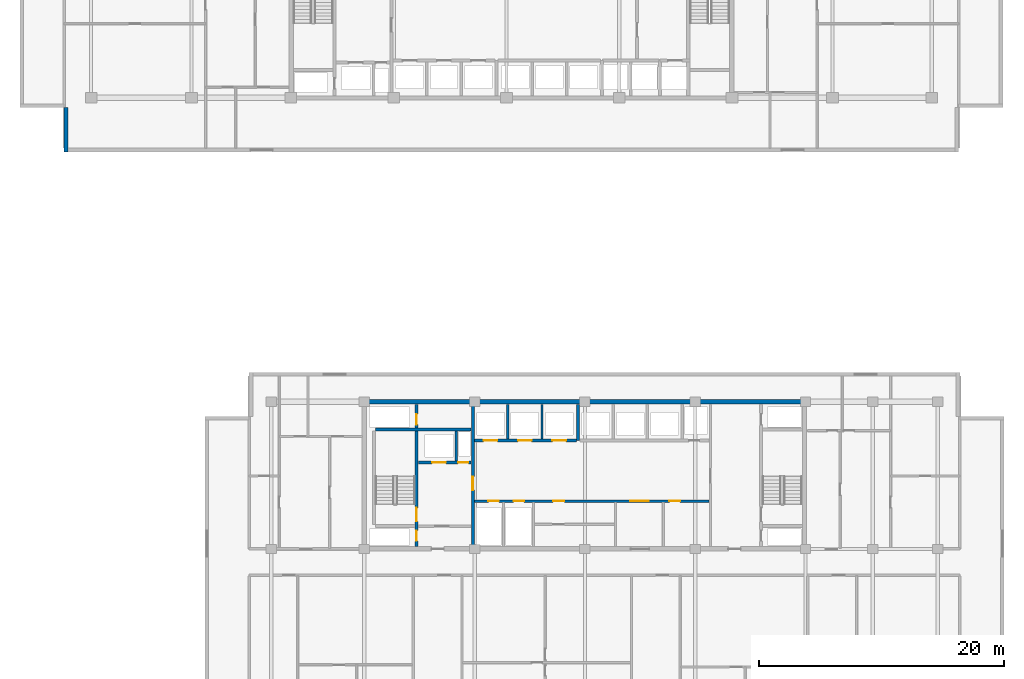
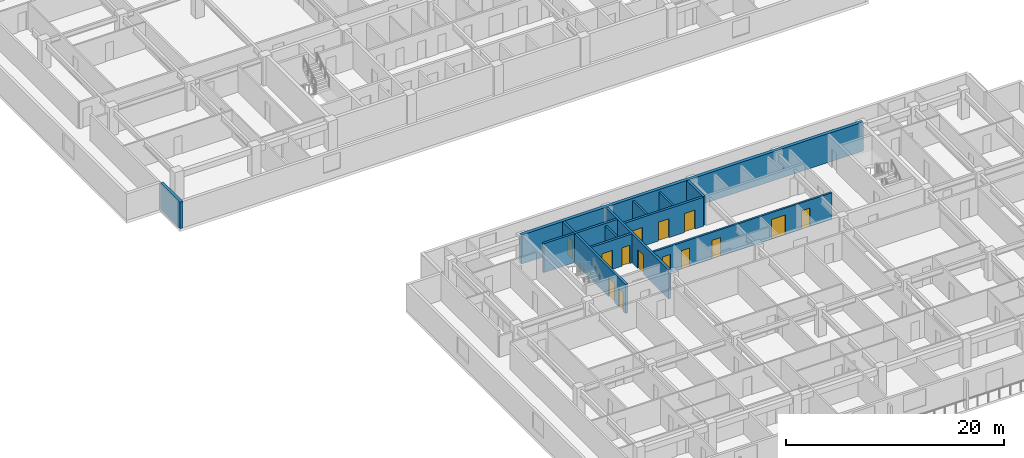
# One storey, part 7 of 22: 14 doors, 12 walls, 14 openings.
"""IFC4 building model written with IfcOpenShell, lengths in metres."""

from ifc_helpers import new_model, si_unit, direction, frame, frame_2d, origin, place, context, subcontext, project, spatial, rectangle, extrude, material, layer, layer_set, type_object, element, fill, save


model = new_model("IFC4")

# Units and contexts
model_context = context("Model", 3, precision=1e-05, world=origin(), true_north=direction((0.0, 1.0)))
body_context = subcontext(model_context, "Body", "Model", "MODEL_VIEW")
ifc_project = project(units=[si_unit("LENGTHUNIT", "METRE"), si_unit("AREAUNIT", "SQUARE_METRE"), si_unit("VOLUMEUNIT", "CUBIC_METRE"), si_unit("PLANEANGLEUNIT", "RADIAN"), si_unit("MASSUNIT", "GRAM", prefix="KILO")], contexts=[model_context])

# Site, building, storey
site_placement = place(None, origin())
site = spatial("IfcSite", under=ifc_project, at=site_placement, CompositionType="ELEMENT")
building_placement = place(site_placement, origin())
building = spatial("IfcBuilding", under=site, at=building_placement, Name="Korimba Cascade Residences", CompositionType="ELEMENT")
storey_placement = place(building_placement, frame((0.0, 0.0, 80.800048828125)))
storey = spatial("IfcBuildingStorey", under=building, at=storey_placement, Name="L22", CompositionType="ELEMENT", Elevation=80.800048828125)

# Walls
ifc_material_1 = material(Name="Precast concrete C40/50", Category="concrete")
ifc_layer_1 = layer(ifc_material_1, 0.300048828125)
ifc_layer_set_1 = layer_set([ifc_layer_1], Name="Precast concrete C40/50")
wall_type_1 = type_object("IfcWallType", Name="EW-STONE-300", PredefinedType="STANDARD", material=ifc_layer_set_1)
wall_1_placement = place(storey_placement, frame((57.75, 54.39990234375, 0.0), z_axis=(0.0, 0.0, 1.0), x_axis=(0.0, -1.0, 0.0)))
element("IfcWall", 1, at=wall_1_placement, inside=storey, type_object=wall_type_1, Name="L22 T1 Perimeter Stone Wall E11", PredefinedType="STANDARD", context=body_context, shape_type="SweptSolid", body=[
    extrude(rectangle(XDim=3.599853515625, YDim=0.300048828125, at=frame_2d((1.7998046875, 0.0))), origin(), (0.0, 0.0, 1.0), 2.969970703125),
])
ifc_material_2 = material(Name="Concrete C65/80", Category="concrete")
ifc_layer_2 = layer(ifc_material_2, 0.35009765625)
ifc_layer_set_2 = layer_set([ifc_layer_2], Name="Concrete C65/80")
wall_type_2 = type_object("IfcWallType", Name="WAL-CORE-350", PredefinedType="SHEAR", material=ifc_layer_set_2)
wall_2_placement = place(storey_placement, frame((81.925048828125, 30.39990234375, 0.0), z_axis=(0.0, 0.0, 1.0), x_axis=(1.0, 0.0, 0.0)))
element("IfcWall", 2, at=wall_2_placement, inside=storey, type_object=wall_type_2, Name="L22 Core Shear Wall CW-L22-T2-N", PredefinedType="SHEAR", context=body_context, shape_type="SweptSolid", body=[
    extrude(rectangle(XDim=36.264892578125, YDim=0.35009765625, at=frame_2d((18.13232421875, 0.0))), origin(), (0.0, 0.0, 1.0), 3.25),
])
ifc_material_3 = material(Name="Concrete C40/50", Category="concrete")
ifc_layer_3 = layer(ifc_material_3, 0.199951171875)
ifc_layer_set_3 = layer_set([ifc_layer_3], Name="Concrete C40/50")
wall_type_3 = type_object("IfcWallType", Name="WAL-PART-200", PredefinedType="PARTITIONING", material=ifc_layer_set_3)
wall_3_placement = place(storey_placement, frame((89.60009765625, 25.580078125, 0.0), z_axis=(0.0, 0.0, 1.0), x_axis=(0.0, 1.0, 0.0)))
element("IfcWall", 3, at=wall_3_placement, inside=storey, type_object=wall_type_3, Name="L22 Partition Wall CW-L22-T2-FFLDIV", PredefinedType="PARTITIONING", context=body_context, shape_type="SweptSolid", body=[
    extrude(rectangle(XDim=2.419921875, YDim=0.199951171875, at=frame_2d((1.2099609375, 0.0))), origin(), (0.0, 0.0, 1.0), 2.969970703125),
])
for number, where, z_axis, x_axis, name in (
    (4, (93.800048828125, 27.3798828125, 0.0), (0.0, 0.0, 1.0), (0.0, 1.0, 0.0), "L22 Partition Wall CW-L22-T2-B1D1"),
    (5, (96.60009765625, 27.3798828125, 0.0), (0.0, 0.0, 1.0), (0.0, 1.0, 0.0), "L22 Partition Wall CW-L22-T2-B1D2"),
):
    element("IfcWall", number, at=place(storey_placement, frame(where, z_axis=z_axis, x_axis=x_axis)), inside=storey, type_object=wall_type_3, Name=name, PredefinedType="PARTITIONING", context=body_context, shape_type="SweptSolid", body=[
        extrude(rectangle(XDim=2.820068359375, YDim=0.199951171875, at=frame_2d((1.41015625, 0.0))), origin(), (0.0, 0.0, 1.0), 2.969970703125),
    ])

# Wall, openings, doors
wall_4_placement = place(storey_placement, frame((91.080078125, 22.300048828125, 0.0), z_axis=(0.0, 0.0, 1.0), x_axis=(1.0, 0.0, 0.0)))
wall_4 = element("IfcWall", 6, at=wall_4_placement, inside=storey, type_object=wall_type_3, Name="L22 Partition Wall CW-L22-T2-SRVROW", PredefinedType="PARTITIONING", context=body_context, shape_type="SweptSolid", body=[
    extrude(rectangle(XDim=19.139892578125, YDim=0.199951171875, at=frame_2d((9.56982421875, 0.0))), origin(), (0.0, 0.0, 1.0), 2.969970703125),
])
opening_1_placement = place(wall_4_placement, frame((1.14990234375, 0.0, 0.0)))
opening_1 = element("IfcOpeningElement", 7, at=opening_1_placement, cuts=wall_4, Name="Opening D-RS1", PredefinedType="OPENING", context=body_context, shape_type="SweptSolid", body=[
    extrude(rectangle(XDim=0.85009765625, YDim=2.050048828125, at=frame_2d((0.425048828125, 1.02490234375))), frame((0.0, 0.10986328125, 0.0), z_axis=(0.0, -1.0, 0.0), x_axis=(1.0, 0.0, 0.0)), (0.0, 0.0, 1.0), 0.219970703125),
])
opening_2_placement = place(wall_4_placement, frame((3.199951171875, 0.0, 0.0)))
opening_2 = element("IfcOpeningElement", 8, at=opening_2_placement, cuts=wall_4, Name="Opening D-RS1", PredefinedType="OPENING", context=body_context, shape_type="SweptSolid", body=[
    extrude(rectangle(XDim=0.85009765625, YDim=2.050048828125, at=frame_2d((0.425048828125, 1.02490234375))), frame((0.0, 0.10986328125, 0.0), z_axis=(0.0, -1.0, 0.0), x_axis=(1.0, 0.0, 0.0)), (0.0, 0.0, 1.0), 0.219970703125),
])
opening_3_placement = place(wall_4_placement, frame((12.719970703125, 0.0, 0.0)))
opening_3 = element("IfcOpeningElement", 9, at=opening_3_placement, cuts=wall_4, Name="Opening D-FD8", PredefinedType="OPENING", context=body_context, shape_type="SweptSolid", body=[
    extrude(rectangle(XDim=1.5, YDim=2.199951171875, at=frame_2d((0.75, 1.10009765625))), frame((0.0, 0.10986328125, 0.0), z_axis=(0.0, -1.0, 0.0), x_axis=(1.0, 0.0, 0.0)), (0.0, 0.0, 1.0), 0.219970703125),
])
opening_4_placement = place(wall_4_placement, frame((6.419921875, 0.0, 0.0)))
opening_4 = element("IfcOpeningElement", 10, at=opening_4_placement, cuts=wall_4, Name="Opening D-IN1", PredefinedType="OPENING", context=body_context, shape_type="SweptSolid", body=[
    extrude(rectangle(XDim=0.919921875, YDim=2.080078125, at=frame_2d((0.4599609375, 1.0400390625))), frame((0.0, 0.10986328125, 0.0), z_axis=(0.0, -1.0, 0.0), x_axis=(1.0, 0.0, 0.0)), (0.0, 0.0, 1.0), 0.219970703125),
])
opening_5_placement = place(wall_4_placement, frame((15.919921875, 0.0, 0.0)))
opening_5 = element("IfcOpeningElement", 11, at=opening_5_placement, cuts=wall_4, Name="Opening D-IN2", PredefinedType="OPENING", context=body_context, shape_type="SweptSolid", body=[
    extrude(rectangle(XDim=0.8798828125, YDim=2.06005859375, at=frame_2d((0.43994140625, 1.030029296875))), frame((0.0, 0.10986328125, 0.0), z_axis=(0.0, -1.0, 0.0), x_axis=(1.0, 0.0, 0.0)), (0.0, 0.0, 1.0), 0.219970703125),
])
ifc_material_4 = material(Name="Fire-Rated Steel Riser Access Door", Category="steel")
door_type_1 = type_object("IfcDoorType", Name="DR-FD60-850", OperationType="NOTDEFINED", PredefinedType="DOOR", material=ifc_material_4)
door_1_placement = place(opening_1_placement, origin())
door_1 = element("IfcDoor", 12, at=door_1_placement, inside=storey, type_object=door_type_1, Name="L22 T2 Electrical Riser Door", OperationType="SINGLE_SWING_RIGHT", OverallHeight=2.050048828125, OverallWidth=0.85009765625, PredefinedType="DOOR", context=body_context, shape_type="SweptSolid", body=[
    extrude(rectangle(XDim=0.85009765625, YDim=2.050048828125, at=frame_2d((0.425048828125, 1.02490234375))), frame((0.0, 0.02490234375, 0.0), z_axis=(0.0, -1.0, 0.0), x_axis=(1.0, 0.0, 0.0)), (0.0, 0.0, 1.0), 0.050048828125),
])
fill(opening_1, door_1)
door_2_placement = place(opening_2_placement, origin())
door_2 = element("IfcDoor", 13, at=door_2_placement, inside=storey, type_object=door_type_1, Name="L22 T2 Plumbing Riser Door", OperationType="SINGLE_SWING_LEFT", OverallHeight=2.050048828125, OverallWidth=0.85009765625, PredefinedType="DOOR", context=body_context, shape_type="SweptSolid", body=[
    extrude(rectangle(XDim=0.85009765625, YDim=2.050048828125, at=frame_2d((0.425048828125, 1.02490234375))), frame((0.0, 0.02490234375, 0.0), z_axis=(0.0, -1.0, 0.0), x_axis=(1.0, 0.0, 0.0)), (0.0, 0.0, 1.0), 0.050048828125),
])
fill(opening_2, door_2)
ifc_material_5 = material(Name="Fire-Rated Glazed Lift Lobby Double Door", Category="glass")
door_type_2 = type_object("IfcDoorType", Name="DR-FD90-1500", OperationType="NOTDEFINED", PredefinedType="DOOR", material=ifc_material_5)
door_3_placement = place(opening_3_placement, origin())
door_3 = element("IfcDoor", 14, at=door_3_placement, inside=storey, type_object=door_type_2, Name="L22 T2 Lift Lobby Foyer Door", OperationType="DOUBLE_DOOR_SINGLE_SWING", OverallHeight=2.199951171875, OverallWidth=1.5, PredefinedType="DOOR", context=body_context, shape_type="SweptSolid", body=[
    extrude(rectangle(XDim=1.5, YDim=2.199951171875, at=frame_2d((0.75, 1.10009765625))), frame((0.0, 0.02490234375, 0.0), z_axis=(0.0, -1.0, 0.0), x_axis=(1.0, 0.0, 0.0)), (0.0, 0.0, 1.0), 0.050048828125),
])
fill(opening_3, door_3)
ifc_material_6 = material(Name="Acoustic Timber Bedroom Door", Category="wood")
door_type_3 = type_object("IfcDoorType", Name="DR-INT-880", OperationType="NOTDEFINED", PredefinedType="DOOR", material=ifc_material_6)
door_4_placement = place(opening_5_placement, origin())
door_4 = element("IfcDoor", 15, at=door_4_placement, inside=storey, type_object=door_type_3, Name="L22 T2 Staff WC Door", OperationType="SINGLE_SWING_LEFT", OverallHeight=2.06005859375, OverallWidth=0.8798828125, PredefinedType="DOOR", context=body_context, shape_type="SweptSolid", body=[
    extrude(rectangle(XDim=0.8798828125, YDim=2.06005859375, at=frame_2d((0.43994140625, 1.030029296875))), frame((0.0, 0.02490234375, 0.0), z_axis=(0.0, -1.0, 0.0), x_axis=(1.0, 0.0, 0.0)), (0.0, 0.0, 1.0), 0.050048828125),
])
fill(opening_5, door_4)
ifc_material_7 = material(Name="Acoustic Timber Living Door", Category="wood")
door_type_4 = type_object("IfcDoorType", Name="DR-INT-920", OperationType="NOTDEFINED", PredefinedType="DOOR", material=ifc_material_7)
door_5_placement = place(opening_4_placement, origin())
door_5 = element("IfcDoor", 16, at=door_5_placement, inside=storey, type_object=door_type_4, Name="L22 T2 Locker Door", OperationType="SINGLE_SWING_RIGHT", OverallHeight=2.080078125, OverallWidth=0.919921875, PredefinedType="DOOR", context=body_context, shape_type="SweptSolid", body=[
    extrude(rectangle(XDim=0.919921875, YDim=2.080078125, at=frame_2d((0.4599609375, 1.0400390625))), frame((0.0, 0.02490234375, 0.0), z_axis=(0.0, -1.0, 0.0), x_axis=(1.0, 0.0, 0.0)), (0.0, 0.0, 1.0), 0.050048828125),
])
fill(opening_4, door_5)

ifc_material_8 = material(Name="Concrete C50/60", Category="concrete")
ifc_layer_4 = layer(ifc_material_8, 0.25)
ifc_layer_set_4 = layer_set([ifc_layer_4], Name="Concrete C50/60")
wall_type_4 = type_object("IfcWallType", Name="WAL-SHAFT-250", PredefinedType="SHEAR", material=ifc_layer_set_4)
wall_5_placement = place(storey_placement, frame((86.364990234375, 18.60009765625, 0.0), z_axis=(0.0, 0.0, 1.0), x_axis=(0.0, 1.0, 0.0)))
wall_5 = element("IfcWall", 17, at=wall_5_placement, inside=storey, type_object=wall_type_4, Name="L22 Core Shear Wall CW-L22-T2-STE1E", PredefinedType="SHEAR", context=body_context, shape_type="SweptSolid", body=[
    extrude(rectangle(XDim=11.599853515625, YDim=0.25, at=frame_2d((5.7998046875, 0.0))), origin(), (0.0, 0.0, 1.0), 3.25),
])
opening_6_placement = place(wall_5_placement, frame((0.449951171875, 0.0, 0.0)))
opening_6 = element("IfcOpeningElement", 18, at=opening_6_placement, cuts=wall_5, Name="Opening D-RS1", PredefinedType="OPENING", context=body_context, shape_type="SweptSolid", body=[
    extrude(rectangle(XDim=0.85009765625, YDim=2.050048828125, at=frame_2d((0.425048828125, 1.02490234375))), frame((0.0, 0.135009765625, 0.0), z_axis=(0.0, -1.0, 0.0), x_axis=(1.0, 0.0, 0.0)), (0.0, 0.0, 1.0), 0.27001953125),
])
opening_7_placement = place(wall_5_placement, frame((2.050048828125, 0.0, 0.0)))
opening_7 = element("IfcOpeningElement", 19, at=opening_7_placement, cuts=wall_5, Name="Opening D-FD1", PredefinedType="OPENING", context=body_context, shape_type="SweptSolid", body=[
    extrude(rectangle(XDim=1.10009765625, YDim=2.10009765625, at=frame_2d((0.550048828125, 1.050048828125))), frame((0.0, 0.135009765625, 0.0), z_axis=(0.0, -1.0, 0.0), x_axis=(1.0, 0.0, 0.0)), (0.0, 0.0, 1.0), 0.27001953125),
])
opening_8_placement = place(wall_5_placement, frame((9.949951171875, 0.0, 0.0)))
opening_8 = element("IfcOpeningElement", 20, at=opening_8_placement, cuts=wall_5, Name="Opening D-RS1", PredefinedType="OPENING", context=body_context, shape_type="SweptSolid", body=[
    extrude(rectangle(XDim=0.85009765625, YDim=2.050048828125, at=frame_2d((0.425048828125, 1.02490234375))), frame((0.0, 0.135009765625, 0.0), z_axis=(0.0, -1.0, 0.0), x_axis=(1.0, 0.0, 0.0)), (0.0, 0.0, 1.0), 0.27001953125),
])
ifc_material_9 = material(Name="Fire-Rated Steel Core Door", Category="steel")
door_type_5 = type_object("IfcDoorType", Name="DR-FD120-1100", OperationType="NOTDEFINED", PredefinedType="DOOR", material=ifc_material_9)
door_6_placement = place(opening_7_placement, origin())
door_6 = element("IfcDoor", 21, at=door_6_placement, inside=storey, type_object=door_type_5, Name="L22 Fire Stair ST-E1 Door", OperationType="SINGLE_SWING_LEFT", OverallHeight=2.10009765625, OverallWidth=1.10009765625, PredefinedType="DOOR", context=body_context, shape_type="SweptSolid", body=[
    extrude(rectangle(XDim=1.10009765625, YDim=2.10009765625, at=frame_2d((0.550048828125, 1.050048828125))), frame((0.0, 0.02490234375, 0.0), z_axis=(0.0, -1.0, 0.0), x_axis=(1.0, 0.0, 0.0)), (0.0, 0.0, 1.0), 0.050048828125),
])
fill(opening_7, door_6)
door_7_placement = place(opening_6_placement, origin())
door_7 = element("IfcDoor", 22, at=door_7_placement, inside=storey, type_object=door_type_1, Name="L22 T2 Hydrant Riser Door", OperationType="SINGLE_SWING_RIGHT", OverallHeight=2.050048828125, OverallWidth=0.85009765625, PredefinedType="DOOR", context=body_context, shape_type="SweptSolid", body=[
    extrude(rectangle(XDim=0.85009765625, YDim=2.050048828125, at=frame_2d((0.425048828125, 1.02490234375))), frame((0.0, 0.02490234375, 0.0), z_axis=(0.0, -1.0, 0.0), x_axis=(1.0, 0.0, 0.0)), (0.0, 0.0, 1.0), 0.050048828125),
])
fill(opening_6, door_7)
door_8_placement = place(opening_8_placement, origin())
door_8 = element("IfcDoor", 23, at=door_8_placement, inside=storey, type_object=door_type_1, Name="L22 T2 Smoke Shaft Door", OperationType="SINGLE_SWING_RIGHT", OverallHeight=2.050048828125, OverallWidth=0.85009765625, PredefinedType="DOOR", context=body_context, shape_type="SweptSolid", body=[
    extrude(rectangle(XDim=0.85009765625, YDim=2.050048828125, at=frame_2d((0.425048828125, 1.02490234375))), frame((0.0, 0.02490234375, 0.0), z_axis=(0.0, -1.0, 0.0), x_axis=(1.0, 0.0, 0.0)), (0.0, 0.0, 1.0), 0.050048828125),
])
fill(opening_8, door_8)

# Wall
wall_6_placement = place(storey_placement, frame((83.0, 28.125, 0.0), z_axis=(0.0, 0.0, 1.0), x_axis=(1.0, 0.0, 0.0)))
element("IfcWall", 24, at=wall_6_placement, inside=storey, type_object=wall_type_4, Name="L22 Core Shear Wall CW-L22-T2-STE1N", PredefinedType="SHEAR", context=body_context, shape_type="SweptSolid", body=[
    extrude(rectangle(XDim=7.820068359375, YDim=0.25, at=frame_2d((3.91015625, 0.0))), origin(), (0.0, 0.0, 1.0), 3.25),
])

# Wall, openings, doors
wall_7_placement = place(storey_placement, frame((86.5, 25.449951171875, 0.0), z_axis=(0.0, 0.0, 1.0), x_axis=(1.0, 0.0, 0.0)))
wall_7 = element("IfcWall", 25, at=wall_7_placement, inside=storey, type_object=wall_type_4, Name="L22 Core Shear Wall CW-L22-T2-FFLN", PredefinedType="SHEAR", context=body_context, shape_type="SweptSolid", body=[
    extrude(rectangle(XDim=4.320068359375, YDim=0.25, at=frame_2d((2.16015625, 0.0))), origin(), (0.0, 0.0, 1.0), 3.25),
])
opening_9_placement = place(wall_7_placement, frame((1.139892578125, 0.0, 0.0)))
opening_9 = element("IfcOpeningElement", 26, at=opening_9_placement, cuts=wall_7, Name="Opening LD-01", PredefinedType="OPENING", context=body_context, shape_type="SweptSolid", body=[
    extrude(rectangle(XDim=1.1201171875, YDim=2.1201171875, at=frame_2d((0.56005859375, 1.06005859375))), frame((0.0, 0.135009765625, 0.0), z_axis=(0.0, -1.0, 0.0), x_axis=(1.0, 0.0, 0.0)), (0.0, 0.0, 1.0), 0.27001953125),
])
opening_10_placement = place(wall_7_placement, frame((3.25, 0.0, 0.0)))
opening_10 = element("IfcOpeningElement", 27, at=opening_10_placement, cuts=wall_7, Name="Opening D-RS1", PredefinedType="OPENING", context=body_context, shape_type="SweptSolid", body=[
    extrude(rectangle(XDim=0.85009765625, YDim=2.050048828125, at=frame_2d((0.425048828125, 1.02490234375))), frame((0.0, 0.135009765625, 0.0), z_axis=(0.0, -1.0, 0.0), x_axis=(1.0, 0.0, 0.0)), (0.0, 0.0, 1.0), 0.27001953125),
])
door_9_placement = place(opening_10_placement, origin())
door_9 = element("IfcDoor", 28, at=door_9_placement, inside=storey, type_object=door_type_1, Name="L22 T2 Pressurisation Riser Door", OperationType="SINGLE_SWING_LEFT", OverallHeight=2.050048828125, OverallWidth=0.85009765625, PredefinedType="DOOR", context=body_context, shape_type="SweptSolid", body=[
    extrude(rectangle(XDim=0.85009765625, YDim=2.050048828125, at=frame_2d((0.425048828125, 1.02490234375))), frame((0.0, 0.02490234375, 0.0), z_axis=(0.0, -1.0, 0.0), x_axis=(1.0, 0.0, 0.0)), (0.0, 0.0, 1.0), 0.050048828125),
])
fill(opening_10, door_9)
ifc_material_10 = material(Name="Stainless Steel Lift Landing Sliding Door", Category="steel")
door_type_6 = type_object("IfcDoorType", Name="DR-LIFT-1100", OperationType="NOTDEFINED", PredefinedType="DOOR", material=ifc_material_10)
door_10_placement = place(opening_9_placement, origin())
door_10 = element("IfcDoor", 29, at=door_10_placement, inside=storey, type_object=door_type_6, Name="L22 Firefighting Lift Landing Door FFL-E1", OperationType="SLIDING_TO_RIGHT", OverallHeight=2.1201171875, OverallWidth=1.1201171875, PredefinedType="DOOR", context=body_context, shape_type="SweptSolid", body=[
    extrude(rectangle(XDim=1.1201171875, YDim=2.1201171875, at=frame_2d((0.56005859375, 1.06005859375))), frame((0.0, 0.02490234375, 0.0), z_axis=(0.0, -1.0, 0.0), x_axis=(1.0, 0.0, 0.0)), (0.0, 0.0, 1.0), 0.050048828125),
])
fill(opening_9, door_10)

# Wall, opening, door
wall_8_placement = place(storey_placement, frame((90.949951171875, 18.60009765625, 0.0), z_axis=(0.0, 0.0, 1.0), x_axis=(0.0, 1.0, 0.0)))
wall_8 = element("IfcWall", 30, at=wall_8_placement, inside=storey, type_object=wall_type_4, Name="L22 Core Shear Wall CW-L22-T2-FFLE", PredefinedType="SHEAR", context=body_context, shape_type="SweptSolid", body=[
    extrude(rectangle(XDim=11.599853515625, YDim=0.25, at=frame_2d((5.7998046875, 0.0))), origin(), (0.0, 0.0, 1.0), 3.25),
])
opening_11_placement = place(wall_8_placement, frame((4.60009765625, 0.0, 0.0)))
opening_11 = element("IfcOpeningElement", 31, at=opening_11_placement, cuts=wall_8, Name="Opening D-FD1", PredefinedType="OPENING", context=body_context, shape_type="SweptSolid", body=[
    extrude(rectangle(XDim=1.10009765625, YDim=2.10009765625, at=frame_2d((0.550048828125, 1.050048828125))), frame((0.0, 0.135009765625, 0.0), z_axis=(0.0, -1.0, 0.0), x_axis=(1.0, 0.0, 0.0)), (0.0, 0.0, 1.0), 0.27001953125),
])
door_11_placement = place(opening_11_placement, origin())
door_11 = element("IfcDoor", 32, at=door_11_placement, inside=storey, type_object=door_type_5, Name="L22 T2 Firefighting Lobby to Lift Lobby Door", OperationType="SINGLE_SWING_LEFT", OverallHeight=2.10009765625, OverallWidth=1.10009765625, PredefinedType="DOOR", context=body_context, shape_type="SweptSolid", body=[
    extrude(rectangle(XDim=1.10009765625, YDim=2.10009765625, at=frame_2d((0.550048828125, 1.050048828125))), frame((0.0, 0.02490234375, 0.0), z_axis=(0.0, -1.0, 0.0), x_axis=(1.0, 0.0, 0.0)), (0.0, 0.0, 1.0), 0.050048828125),
])
fill(opening_11, door_11)

# Wall, openings, doors
wall_9_placement = place(storey_placement, frame((91.080078125, 27.25, 0.0), z_axis=(0.0, 0.0, 1.0), x_axis=(1.0, 0.0, 0.0)))
wall_9 = element("IfcWall", 33, at=wall_9_placement, inside=storey, type_object=wall_type_4, Name="L22 Core Shear Wall CW-L22-T2-B1S", PredefinedType="SHEAR", context=body_context, shape_type="SweptSolid", body=[
    extrude(rectangle(XDim=8.33984375, YDim=0.25, at=frame_2d((4.169921875, 0.0))), origin(), (0.0, 0.0, 1.0), 3.25),
])
opening_12_placement = place(wall_9_placement, frame((0.760009765625, 0.0, 0.0)))
opening_12 = element("IfcOpeningElement", 34, at=opening_12_placement, cuts=wall_9, Name="Opening LD-01", PredefinedType="OPENING", context=body_context, shape_type="SweptSolid", body=[
    extrude(rectangle(XDim=1.1201171875, YDim=2.1201171875, at=frame_2d((0.56005859375, 1.06005859375))), frame((0.0, 0.135009765625, 0.0), z_axis=(0.0, -1.0, 0.0), x_axis=(1.0, 0.0, 0.0)), (0.0, 0.0, 1.0), 0.27001953125),
])
opening_13_placement = place(wall_9_placement, frame((3.56005859375, 0.0, 0.0)))
opening_13 = element("IfcOpeningElement", 35, at=opening_13_placement, cuts=wall_9, Name="Opening LD-01", PredefinedType="OPENING", context=body_context, shape_type="SweptSolid", body=[
    extrude(rectangle(XDim=1.1201171875, YDim=2.1201171875, at=frame_2d((0.56005859375, 1.06005859375))), frame((0.0, 0.135009765625, 0.0), z_axis=(0.0, -1.0, 0.0), x_axis=(1.0, 0.0, 0.0)), (0.0, 0.0, 1.0), 0.27001953125),
])
opening_14_placement = place(wall_9_placement, frame((6.360107421875, 0.0, 0.0)))
opening_14 = element("IfcOpeningElement", 36, at=opening_14_placement, cuts=wall_9, Name="Opening LD-01", PredefinedType="OPENING", context=body_context, shape_type="SweptSolid", body=[
    extrude(rectangle(XDim=1.1201171875, YDim=2.1201171875, at=frame_2d((0.56005859375, 1.06005859375))), frame((0.0, 0.135009765625, 0.0), z_axis=(0.0, -1.0, 0.0), x_axis=(1.0, 0.0, 0.0)), (0.0, 0.0, 1.0), 0.27001953125),
])
door_12_placement = place(opening_12_placement, origin())
door_12 = element("IfcDoor", 37, at=door_12_placement, inside=storey, type_object=door_type_6, Name="L22 Lift Landing Door PL-E1", OperationType="SLIDING_TO_LEFT", OverallHeight=2.1201171875, OverallWidth=1.1201171875, PredefinedType="DOOR", context=body_context, shape_type="SweptSolid", body=[
    extrude(rectangle(XDim=1.1201171875, YDim=2.1201171875, at=frame_2d((0.56005859375, 1.06005859375))), frame((0.0, 0.02490234375, 0.0), z_axis=(0.0, -1.0, 0.0), x_axis=(1.0, 0.0, 0.0)), (0.0, 0.0, 1.0), 0.050048828125),
])
fill(opening_12, door_12)
door_13_placement = place(opening_13_placement, origin())
door_13 = element("IfcDoor", 38, at=door_13_placement, inside=storey, type_object=door_type_6, Name="L22 Lift Landing Door PL-E2", OperationType="SLIDING_TO_LEFT", OverallHeight=2.1201171875, OverallWidth=1.1201171875, PredefinedType="DOOR", context=body_context, shape_type="SweptSolid", body=[
    extrude(rectangle(XDim=1.1201171875, YDim=2.1201171875, at=frame_2d((0.56005859375, 1.06005859375))), frame((0.0, 0.02490234375, 0.0), z_axis=(0.0, -1.0, 0.0), x_axis=(1.0, 0.0, 0.0)), (0.0, 0.0, 1.0), 0.050048828125),
])
fill(opening_13, door_13)
door_14_placement = place(opening_14_placement, origin())
door_14 = element("IfcDoor", 39, at=door_14_placement, inside=storey, type_object=door_type_6, Name="L22 Lift Landing Door PL-E3", OperationType="SLIDING_TO_LEFT", OverallHeight=2.1201171875, OverallWidth=1.1201171875, PredefinedType="DOOR", context=body_context, shape_type="SweptSolid", body=[
    extrude(rectangle(XDim=1.1201171875, YDim=2.1201171875, at=frame_2d((0.56005859375, 1.06005859375))), frame((0.0, 0.02490234375, 0.0), z_axis=(0.0, -1.0, 0.0), x_axis=(1.0, 0.0, 0.0)), (0.0, 0.0, 1.0), 0.050048828125),
])
fill(opening_14, door_14)

# Wall
wall_10_placement = place(storey_placement, frame((99.550048828125, 27.25, 0.0), z_axis=(0.0, 0.0, 1.0), x_axis=(0.0, 1.0, 0.0)))
element("IfcWall", 40, at=wall_10_placement, inside=storey, type_object=wall_type_4, Name="L22 Core Shear Wall CW-L22-T2-B12DIV", PredefinedType="SHEAR", context=body_context, shape_type="SweptSolid", body=[
    extrude(rectangle(XDim=2.949951171875, YDim=0.25, at=frame_2d((1.47509765625, 0.0))), origin(), (0.0, 0.0, 1.0), 3.25),
])

save(model, "model.ifc")
